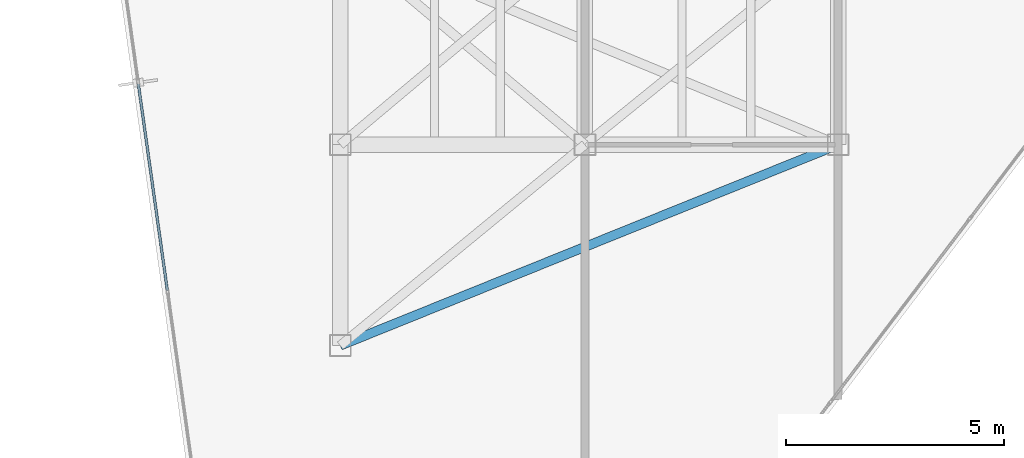
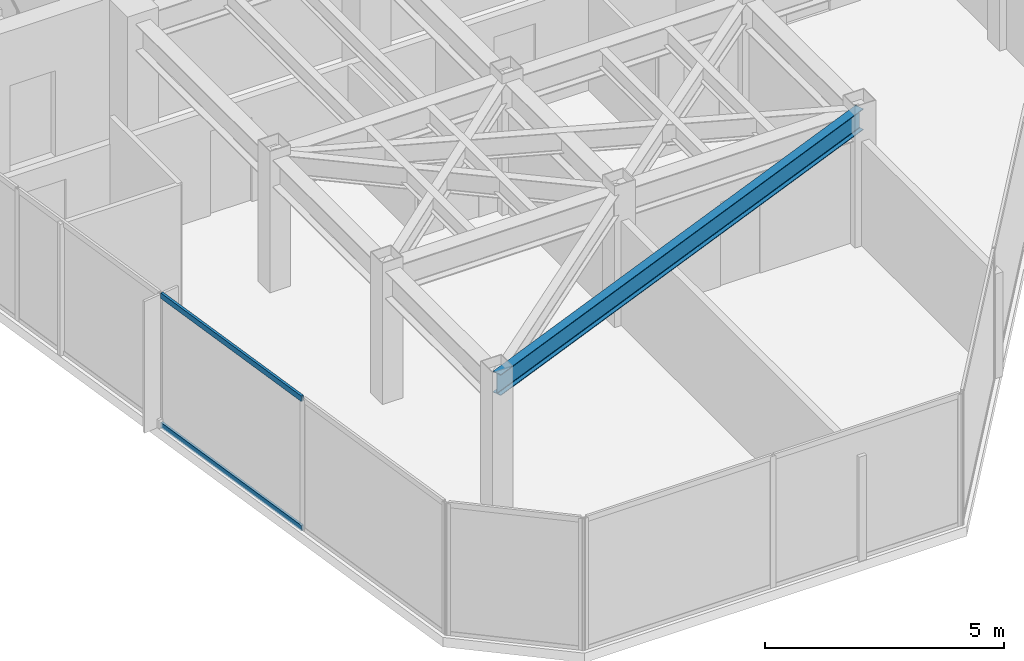
# One storey, part 4 of 20: 2 members, 1 beam, 1 element without a shape of its own.
"""IFC4 building model written with IfcOpenShell, lengths in metres."""

from ifc_helpers import new_model, si_unit, direction, frame, origin, origin_2d, place, context, subcontext, project, spatial, hollow_rectangle, i_section, extrude, material, layer, layer_set, material_profile, profile_set, type_object, element, aggregate, save


model = new_model("IFC4")

# Units and contexts
model_context = context("Model", 3, precision=1e-05, world=origin(), true_north=direction((0.0, 1.0)))
body_context = subcontext(model_context, "Body", "Model", "MODEL_VIEW")
ifc_project = project(units=[si_unit("LENGTHUNIT", "METRE"), si_unit("AREAUNIT", "SQUARE_METRE"), si_unit("VOLUMEUNIT", "CUBIC_METRE"), si_unit("PLANEANGLEUNIT", "RADIAN"), si_unit("MASSUNIT", "GRAM", prefix="KILO")], contexts=[model_context])

# Site, building, storey
site_placement = place(None, origin())
site = spatial("IfcSite", under=ifc_project, at=site_placement, CompositionType="ELEMENT")
building_placement = place(site_placement, origin())
building = spatial("IfcBuilding", under=site, at=building_placement, Name="Kravanh Interchange Tower", CompositionType="ELEMENT")
storey_placement = place(building_placement, frame((0.0, 0.0, 238.199951171875)))
storey = spatial("IfcBuildingStorey", under=building, at=storey_placement, Name="L57", CompositionType="ELEMENT", Elevation=238.199951171875)

# Curtain wall, members
ifc_material_1 = material(Name="Anodised Bronze Aluminium", Category="aluminium")
ifc_layer = layer(ifc_material_1, 0.179931640625)
ifc_layer_set = layer_set([ifc_layer], Name="Unitised Curtain Wall System CW-HTL Luxury Hotel")
curtain_wall_type = type_object("IfcCurtainWallType", Name="Unitised Curtain Wall System CW-HTL Luxury Hotel", PredefinedType="NOTDEFINED", material=ifc_layer_set)
curtain_wall_placement = place(storey_placement, origin())
curtain_wall = element("IfcCurtainWall", 1, at=curtain_wall_placement, inside=storey, type_object=curtain_wall_type, Name="L57 Unitised Curtain Wall CW-L57-01", PredefinedType="NOTDEFINED")
ifc_material_2 = material(Name="Anodised Bronze Aluminium", Category="aluminium")
ifc_material_profile_1 = material_profile(ifc_material_2, hollow_rectangle(XDim=0.06005859375, YDim=0.139892578125, WallThickness=0.00390625, at=origin_2d()), Name="ALU60X140X4")
ifc_profile_set_1 = profile_set([ifc_material_profile_1], Name="Anodised Bronze Aluminium")
member_type = type_object("IfcMemberType", Name="Curtain Wall Transom ALU60X140X4 Bronze", PredefinedType="USERDEFINED", material=ifc_profile_set_1)
member_1_placement = place(storey_placement, frame((23.240234375, 23.4609375, 0.030029296875), z_axis=(-0.139174169915, 0.990267918509, 0.0), x_axis=(-0.990267918509, -0.139174169915, 0.0)))
member_1 = element("IfcMember", 2, at=member_1_placement, type_object=member_type, Name="CW-HTL transom 2.1", ObjectType="TRANSOM", PredefinedType="USERDEFINED", context=body_context, shape_type="SweptSolid", body=[
    extrude(hollow_rectangle(XDim=0.06005859375, YDim=0.139892578125, WallThickness=0.00390625, at=origin_2d()), origin(), (0.0, 0.0, 1.0), 4.776611328125),
])
member_2_placement = place(storey_placement, frame((23.240234375, 23.4609375, 3.330078125), z_axis=(-0.139174169915, 0.990267918509, 0.0), x_axis=(-0.990267918509, -0.139174169915, 0.0)))
member_2 = element("IfcMember", 3, at=member_2_placement, type_object=member_type, Name="CW-HTL transom 2.2", ObjectType="TRANSOM", PredefinedType="USERDEFINED", context=body_context, shape_type="SweptSolid", body=[
    extrude(hollow_rectangle(XDim=0.06005859375, YDim=0.139892578125, WallThickness=0.00390625, at=origin_2d()), origin(), (0.0, 0.0, 1.0), 4.776611328125),
])
aggregate(curtain_wall, [member_1, member_2])

# Beam
ifc_material_3 = material(Name="Structural Steel S355", Category="steel")
ifc_material_profile_2 = material_profile(ifc_material_3, i_section(OverallWidth=0.2099609375, OverallDepth=0.537109375, WebThickness=0.010986328125, FlangeThickness=0.017333984375, FilletRadius=0.02001953125, at=origin_2d()), Name="W21X68")
ifc_profile_set_2 = profile_set([ifc_material_profile_2], Name="Structural Steel S355")
beam_type = type_object("IfcBeamType", Name="Floor Spandrel W21X68 Structural Steel S355", PredefinedType="SPANDREL", material=ifc_profile_set_2)
beam_placement = place(storey_placement, frame((38.60009765625, 26.800048828125, 3.091552734375), z_axis=(-0.927349344428, -0.374196730864, 0.0), x_axis=(0.374196730864, -0.927349344428, 0.0)))
element("IfcBeam", 4, at=beam_placement, inside=storey, type_object=beam_type, Name="L57 Perimeter Spandrel 30", PredefinedType="SPANDREL", context=body_context, shape_type="SweptSolid", body=[
    extrude(i_section(OverallWidth=0.2099609375, OverallDepth=0.537109375, WebThickness=0.010986328125, FlangeThickness=0.017333984375, FilletRadius=0.02001953125, at=origin_2d()), origin(), (0.0, 0.0, 1.0), 12.293212890625),
])

save(model, "model.ifc")
